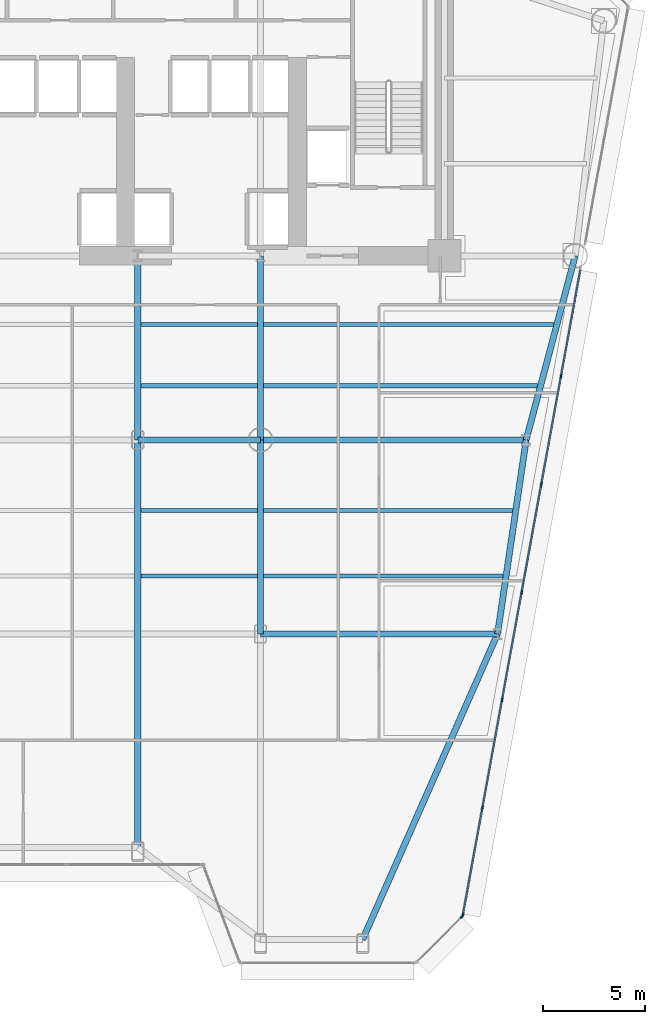
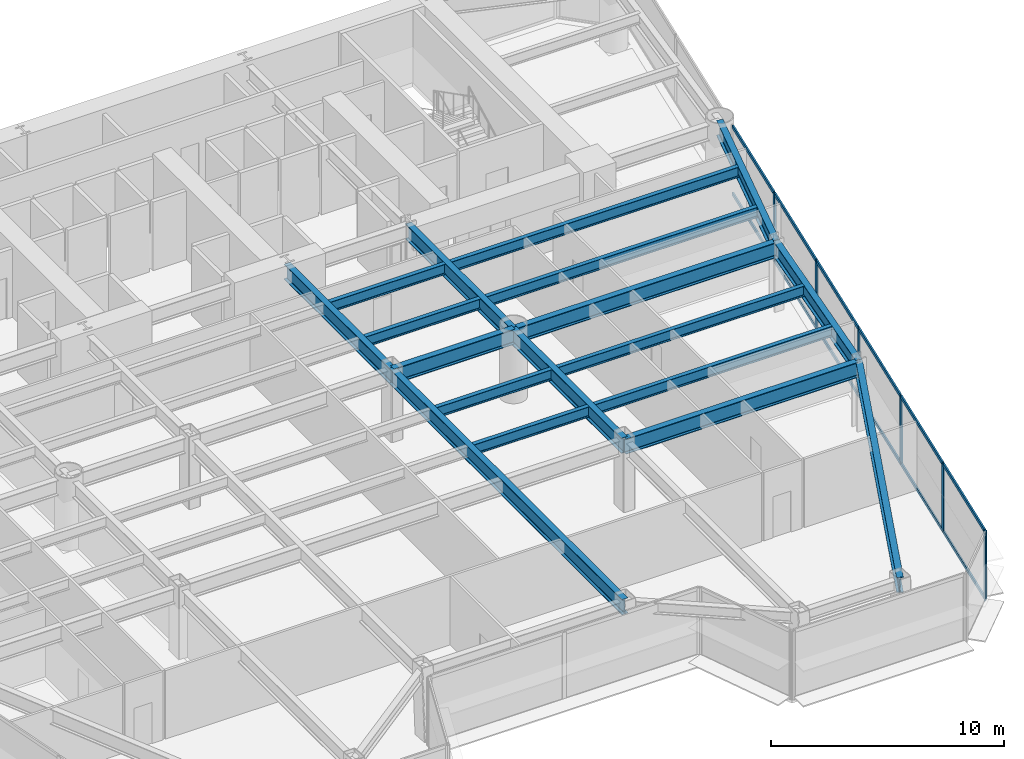
# One storey, part 4 of 14: 19 members, 18 beams, 2 elements without a shape of their own.
"""IFC4 building model written with IfcOpenShell, lengths in metres."""

from ifc_helpers import new_model, si_unit, direction, frame, origin, origin_2d, place, context, subcontext, project, spatial, rectangle, i_section, extrude, source, transform, mapped, material, layer, layer_set, material_profile, profile_set, type_object, element, aggregate, save


model = new_model("IFC4")

# Units and contexts
model_context = context("Model", 3, precision=1e-05, world=origin(), true_north=direction((0.0, 1.0)))
body_context = subcontext(model_context, "Body", "Model", "MODEL_VIEW")
ifc_project = project(units=[si_unit("LENGTHUNIT", "METRE"), si_unit("AREAUNIT", "SQUARE_METRE"), si_unit("VOLUMEUNIT", "CUBIC_METRE"), si_unit("PLANEANGLEUNIT", "RADIAN"), si_unit("MASSUNIT", "GRAM", prefix="KILO")], contexts=[model_context])

# Site, building, storey
site_placement = place(None, origin())
site = spatial("IfcSite", under=ifc_project, at=site_placement, CompositionType="ELEMENT")
building_placement = place(site_placement, origin())
building = spatial("IfcBuilding", under=site, at=building_placement, Name="Vaeldorn Concourse Tower", CompositionType="ELEMENT")
storey_placement = place(building_placement, frame((0.0, 0.0, 49.199951171875)))
storey = spatial("IfcBuildingStorey", under=building, at=storey_placement, Name="L12", CompositionType="ELEMENT", Elevation=49.199951171875)

# Beams
ifc_material_1 = material(Name="Steel S355", Category="steel")
ifc_material_profile_1 = material_profile(ifc_material_1, i_section(OverallWidth=0.300048828125, OverallDepth=0.800048828125, WebThickness=0.017578125, FlangeThickness=0.032958984375, FilletRadius=0.030029296875, at=origin_2d()), Name="HEB 800")
ifc_profile_set_1 = profile_set([ifc_material_profile_1], Name="Steel S355")
beam_type_1 = type_object("IfcBeamType", Name="BM-PG-HEB800", PredefinedType="BEAM", material=ifc_profile_set_1)
shared_shape_1 = source(origin(), body_context, "Body", "SweptSolid", [
    extrude(i_section(OverallWidth=0.300048828125, OverallDepth=0.800048828125, WebThickness=0.017578125, FlangeThickness=0.032958984375, FilletRadius=0.030029296875, at=origin_2d()), origin(), (0.0, 0.0, 1.0), 6.0),
])
beam_1_placement = place(storey_placement, frame((39.0, 27.5, 3.179931640625), z_axis=(1.0, 0.0, 0.0), x_axis=(0.0, 1.0, 0.0)))
element("IfcBeam", 1, at=beam_1_placement, inside=storey, type_object=beam_type_1, Name="Beam BM-L12-C-TW3-C-TW4", PredefinedType="BEAM", context=body_context, shape_type="MappedRepresentation", body=[
    mapped(shared_shape_1, transform((0.0, 0.0, 0.0), scale=1.0)),
])
shared_shape_2 = source(origin(), body_context, "Body", "SweptSolid", [
    extrude(i_section(OverallWidth=0.300048828125, OverallDepth=0.800048828125, WebThickness=0.017578125, FlangeThickness=0.032958984375, FilletRadius=0.030029296875, at=origin_2d()), origin(), (0.0, 0.0, 1.0), 9.0),
])
for number, where, z_axis, x_axis, name in (
    (2, (39.0, 27.5, 3.179931640625), (0.0, 1.0, 0.0), (-1.0, 0.0, 0.0), "Beam BM-L12-C-TW3-C-FC4"),
    (3, (45.0, 27.5, 3.179931640625), (0.0, 1.0, 0.0), (-1.0, 0.0, 0.0), "Beam BM-L12-C-TW4-C-FC5"),
):
    element("IfcBeam", number, at=place(storey_placement, frame(where, z_axis=z_axis, x_axis=x_axis)), inside=storey, type_object=beam_type_1, Name=name, PredefinedType="BEAM", context=body_context, shape_type="MappedRepresentation", body=[
        mapped(shared_shape_2, transform((0.0, 0.0, 0.0), scale=1.0)),
    ])
shared_shape_3 = source(origin(), body_context, "Body", "SweptSolid", [
    extrude(i_section(OverallWidth=0.300048828125, OverallDepth=0.800048828125, WebThickness=0.017578125, FlangeThickness=0.032958984375, FilletRadius=0.030029296875, at=origin_2d()), origin(), (0.0, 0.0, 1.0), 9.314453125),
])
beam_2_placement = place(storey_placement, frame((60.39990234375, 36.5, 3.179931640625), z_axis=(-0.257652862255, -0.966237549763, 0.0), x_axis=(0.966237549763, -0.257652862255, 0.0)))
element("IfcBeam", 4, at=beam_2_placement, inside=storey, type_object=beam_type_1, Name="Beam BM-L12-C-NE2-C-FLE1", PredefinedType="BEAM", context=body_context, shape_type="MappedRepresentation", body=[
    mapped(shared_shape_3, transform((0.0, 0.0, 0.0), scale=1.0)),
])
shared_shape_4 = source(origin(), body_context, "Body", "SweptSolid", [
    extrude(i_section(OverallWidth=0.300048828125, OverallDepth=0.800048828125, WebThickness=0.017578125, FlangeThickness=0.032958984375, FilletRadius=0.030029296875, at=origin_2d()), origin(), (0.0, 0.0, 1.0), 13.0),
])
beam_3_placement = place(storey_placement, frame((45.0, 27.5, 3.179931640625), z_axis=(1.0, 0.0, 0.0), x_axis=(0.0, 1.0, 0.0)))
element("IfcBeam", 5, at=beam_3_placement, inside=storey, type_object=beam_type_1, Name="Beam BM-L12-C-TW4-C-FLE1", PredefinedType="BEAM", context=body_context, shape_type="MappedRepresentation", body=[
    mapped(shared_shape_4, transform((0.0, 0.0, 0.0), scale=1.0)),
])
shared_shape_5 = source(origin(), body_context, "Body", "SweptSolid", [
    extrude(i_section(OverallWidth=0.300048828125, OverallDepth=0.800048828125, WebThickness=0.017578125, FlangeThickness=0.032958984375, FilletRadius=0.030029296875, at=origin_2d()), origin(), (0.0, 0.0, 1.0), 9.6025390625),
])
beam_4_placement = place(storey_placement, frame((58.0, 27.5, 3.179931640625), z_axis=(-0.145783835977, -0.989316467652, 0.0), x_axis=(0.989316467652, -0.145783835977, 0.0)))
element("IfcBeam", 6, at=beam_4_placement, inside=storey, type_object=beam_type_1, Name="Beam BM-L12-C-FLE1-C-FLE2", PredefinedType="BEAM", context=body_context, shape_type="MappedRepresentation", body=[
    mapped(shared_shape_5, transform((0.0, 0.0, 0.0), scale=1.0)),
])
shared_shape_6 = source(origin(), body_context, "Body", "SweptSolid", [
    extrude(i_section(OverallWidth=0.300048828125, OverallDepth=0.800048828125, WebThickness=0.017578125, FlangeThickness=0.032958984375, FilletRadius=0.030029296875, at=origin_2d()), origin(), (0.0, 0.0, 1.0), 11.60009765625),
])
beam_5_placement = place(storey_placement, frame((45.0, 18.0, 3.179931640625), z_axis=(1.0, 0.0, 0.0), x_axis=(0.0, 1.0, 0.0)))
element("IfcBeam", 7, at=beam_5_placement, inside=storey, type_object=beam_type_1, Name="Beam BM-L12-C-TW6-C-FLE2", PredefinedType="BEAM", context=body_context, shape_type="MappedRepresentation", body=[
    mapped(shared_shape_6, transform((0.0, 0.0, 0.0), scale=1.0)),
])
shared_shape_7 = source(origin(), body_context, "Body", "SweptSolid", [
    extrude(i_section(OverallWidth=0.300048828125, OverallDepth=0.800048828125, WebThickness=0.017578125, FlangeThickness=0.032958984375, FilletRadius=0.030029296875, at=origin_2d()), origin(), (0.0, 0.0, 1.0), 9.5),
])
beam_6_placement = place(storey_placement, frame((45.0, 18.0, 3.179931640625), z_axis=(0.0, 1.0, 0.0), x_axis=(-1.0, 0.0, 0.0)))
element("IfcBeam", 8, at=beam_6_placement, inside=storey, type_object=beam_type_1, Name="Beam BM-L12-C-TW6-C-TW4", PredefinedType="BEAM", context=body_context, shape_type="MappedRepresentation", body=[
    mapped(shared_shape_7, transform((0.0, 0.0, 0.0), scale=1.0)),
])
ifc_material_profile_2 = material_profile(ifc_material_1, i_section(OverallWidth=0.2099609375, OverallDepth=0.550048828125, WebThickness=0.010986328125, FlangeThickness=0.01708984375, FilletRadius=0.02392578125, at=origin_2d()), Name="IPE 550")
ifc_profile_set_2 = profile_set([ifc_material_profile_2], Name="Steel S355")
beam_type_2 = type_object("IfcBeamType", Name="BM-JS-IPE550", PredefinedType="JOIST", material=ifc_profile_set_2)
shared_shape_8 = source(origin(), body_context, "Body", "SweptSolid", [
    extrude(i_section(OverallWidth=0.2099609375, OverallDepth=0.550048828125, WebThickness=0.010986328125, FlangeThickness=0.01708984375, FilletRadius=0.02392578125, at=origin_2d()), origin(), (0.0, 0.0, 1.0), 5.7001953125),
])
for number, where, z_axis, x_axis, name in (
    (9, (39.14990234375, 20.840087890625, 3.304931640625), (1.0, 0.0, 0.0), (0.0, 1.0, 0.0), "Beam JS-L12-E2-208"),
    (10, (39.14990234375, 24.0400390625, 3.304931640625), (1.0, 0.0, 0.0), (0.0, 1.0, 0.0), "Beam JS-L12-E2-240"),
    (11, (39.14990234375, 30.139892578125, 3.304931640625), (1.0, 0.0, 0.0), (0.0, 1.0, 0.0), "Beam JS-L12-E2-301"),
    (12, (39.14990234375, 33.139892578125, 3.304931640625), (1.0, 0.0, 0.0), (0.0, 1.0, 0.0), "Beam JS-L12-E2-331"),
):
    element("IfcBeam", number, at=place(storey_placement, frame(where, z_axis=z_axis, x_axis=x_axis)), inside=storey, type_object=beam_type_2, Name=name, PredefinedType="JOIST", context=body_context, shape_type="MappedRepresentation", body=[
        mapped(shared_shape_8, transform((0.0, 0.0, 0.0), scale=1.0)),
    ])
shared_shape_9 = source(origin(), body_context, "Body", "SweptSolid", [
    extrude(i_section(OverallWidth=0.2099609375, OverallDepth=0.550048828125, WebThickness=0.010986328125, FlangeThickness=0.01708984375, FilletRadius=0.02392578125, at=origin_2d()), origin(), (0.0, 0.0, 1.0), 11.718505859375),
])
beam_7_placement = place(storey_placement, frame((45.14990234375, 20.840087890625, 3.304931640625), z_axis=(1.0, 0.0, 0.0), x_axis=(0.0, 1.0, 0.0)))
element("IfcBeam", 13, at=beam_7_placement, inside=storey, type_object=beam_type_2, Name="Beam JS-L12-E1-208", PredefinedType="JOIST", context=body_context, shape_type="MappedRepresentation", body=[
    mapped(shared_shape_9, transform((0.0, 0.0, 0.0), scale=1.0)),
])
shared_shape_10 = source(origin(), body_context, "Body", "SweptSolid", [
    extrude(i_section(OverallWidth=0.2099609375, OverallDepth=0.550048828125, WebThickness=0.010986328125, FlangeThickness=0.01708984375, FilletRadius=0.02392578125, at=origin_2d()), origin(), (0.0, 0.0, 1.0), 12.190185546875),
])
beam_8_placement = place(storey_placement, frame((45.14990234375, 24.0400390625, 3.304931640625), z_axis=(1.0, 0.0, 0.0), x_axis=(0.0, 1.0, 0.0)))
element("IfcBeam", 14, at=beam_8_placement, inside=storey, type_object=beam_type_2, Name="Beam JS-L12-E1-240", PredefinedType="JOIST", context=body_context, shape_type="MappedRepresentation", body=[
    mapped(shared_shape_10, transform((0.0, 0.0, 0.0), scale=1.0)),
])
shared_shape_11 = source(origin(), body_context, "Body", "SweptSolid", [
    extrude(i_section(OverallWidth=0.2099609375, OverallDepth=0.550048828125, WebThickness=0.010986328125, FlangeThickness=0.01708984375, FilletRadius=0.02392578125, at=origin_2d()), origin(), (0.0, 0.0, 1.0), 13.404052734375),
])
beam_9_placement = place(storey_placement, frame((45.14990234375, 30.139892578125, 3.304931640625), z_axis=(1.0, 0.0, 0.0), x_axis=(0.0, 1.0, 0.0)))
element("IfcBeam", 15, at=beam_9_placement, inside=storey, type_object=beam_type_2, Name="Beam JS-L12-E1-301", PredefinedType="JOIST", context=body_context, shape_type="MappedRepresentation", body=[
    mapped(shared_shape_11, transform((0.0, 0.0, 0.0), scale=1.0)),
])
shared_shape_12 = source(origin(), body_context, "Body", "SweptSolid", [
    extrude(i_section(OverallWidth=0.2099609375, OverallDepth=0.550048828125, WebThickness=0.010986328125, FlangeThickness=0.01708984375, FilletRadius=0.02392578125, at=origin_2d()), origin(), (0.0, 0.0, 1.0), 14.2041015625),
])
beam_10_placement = place(storey_placement, frame((45.14990234375, 33.139892578125, 3.304931640625), z_axis=(1.0, 0.0, 0.0), x_axis=(0.0, 1.0, 0.0)))
element("IfcBeam", 16, at=beam_10_placement, inside=storey, type_object=beam_type_2, Name="Beam JS-L12-E1-331", PredefinedType="JOIST", context=body_context, shape_type="MappedRepresentation", body=[
    mapped(shared_shape_12, transform((0.0, 0.0, 0.0), scale=1.0)),
])
shared_shape_13 = source(origin(), body_context, "Body", "SweptSolid", [
    extrude(i_section(OverallWidth=0.300048828125, OverallDepth=0.800048828125, WebThickness=0.017578125, FlangeThickness=0.032958984375, FilletRadius=0.030029296875, at=origin_2d()), origin(), (0.0, 0.0, 1.0), 16.340576171875),
])
beam_11_placement = place(storey_placement, frame((50.0, 3.0517578125, 3.179931640625), z_axis=(0.403910920123, 0.914798321274, 0.0), x_axis=(-0.914798321274, 0.403910920123, 0.0)))
element("IfcBeam", 17, at=beam_11_placement, inside=storey, type_object=beam_type_1, Name="Beam BM-L12-C-SF6-C-FLE2", PredefinedType="BEAM", context=body_context, shape_type="MappedRepresentation", body=[
    mapped(shared_shape_13, transform((0.0, 0.0, 0.0), scale=1.0)),
])
shared_shape_14 = source(origin(), body_context, "Body", "SweptSolid", [
    extrude(i_section(OverallWidth=0.300048828125, OverallDepth=0.800048828125, WebThickness=0.017578125, FlangeThickness=0.032958984375, FilletRadius=0.030029296875, at=origin_2d()), origin(), (0.0, 0.0, 1.0), 19.9482421875),
])
beam_12_placement = place(storey_placement, frame((39.0, 7.5517578125, 3.179931640625), z_axis=(0.0, 1.0, 0.0), x_axis=(-1.0, 0.0, 0.0)))
element("IfcBeam", 18, at=beam_12_placement, inside=storey, type_object=beam_type_1, Name="Beam BM-L12-C-SF4-C-TW3", PredefinedType="BEAM", context=body_context, shape_type="MappedRepresentation", body=[
    mapped(shared_shape_14, transform((0.0, 0.0, 0.0), scale=1.0)),
])

# Curtain wall, member
ifc_material_2 = material(Name="Anodised Bronze Aluminium", Category="aluminium")
ifc_layer = layer(ifc_material_2, 0.219970703125)
ifc_layer_set = layer_set([ifc_layer], Name="Anodised Bronze Aluminium")
curtain_wall_type = type_object("IfcCurtainWallType", Name="CW-SYS-01", PredefinedType="NOTDEFINED", material=ifc_layer_set)
curtain_wall_1_placement = place(storey_placement, origin())
curtain_wall_1 = element("IfcCurtainWall", 19, at=curtain_wall_1_placement, inside=storey, type_object=curtain_wall_type, Name="Unitised Curtain Wall CW-L12-E06-1", PredefinedType="NOTDEFINED")
ifc_material_profile_3 = material_profile(ifc_material_2, rectangle(XDim=0.074951171875, YDim=0.219970703125, at=origin_2d()), Name="CWM 75x220")
ifc_profile_set_3 = profile_set([ifc_material_profile_3], Name="Anodised Bronze Aluminium")
member_type_1 = type_object("IfcMemberType", Name="CWM-BRONZE-220", PredefinedType="MULLION", material=ifc_profile_set_3)
shared_shape_15 = source(origin(), body_context, "Body", "SweptSolid", [
    extrude(rectangle(XDim=0.074951171875, YDim=0.219970703125, at=origin_2d()), origin(), (0.0, 0.0, 1.0), 3.580078125),
])
member_1_placement = place(storey_placement, frame((54.8740234375, 4.18603515625, 0.0), z_axis=(0.0, 0.0, 1.0), x_axis=(-0.707106781187, 0.707106781187, 0.0)))
member_1 = element("IfcMember", 20, at=member_1_placement, type_object=member_type_1, Name="CW-01 mullion 2", PredefinedType="MULLION", context=body_context, shape_type="MappedRepresentation", body=[
    mapped(shared_shape_15, transform((0.0, 0.0, 0.0), scale=1.0)),
])
aggregate(curtain_wall_1, [member_1])

# Curtain wall, members
curtain_wall_2_placement = place(storey_placement, origin())
curtain_wall_2 = element("IfcCurtainWall", 21, at=curtain_wall_2_placement, inside=storey, type_object=curtain_wall_type, Name="Unitised Curtain Wall CW-L12-E07-1", PredefinedType="NOTDEFINED")
member_2_placement = place(storey_placement, frame((54.9072265625, 4.24951171875, 0.0), z_axis=(0.0, 0.0, 1.0), x_axis=(-0.983827780803, 0.179116994505, 0.0)))
member_2 = element("IfcMember", 22, at=member_2_placement, type_object=member_type_1, Name="CW-01 mullion 1", PredefinedType="MULLION", context=body_context, shape_type="MappedRepresentation", body=[
    mapped(shared_shape_15, transform((0.0, 0.0, 0.0), scale=1.0)),
])
member_3_placement = place(storey_placement, frame((55.861572265625, 9.490478515625, 0.0), z_axis=(0.0, 0.0, 1.0), x_axis=(-0.983827780803, 0.179116994505, 0.0)))
member_3 = element("IfcMember", 23, at=member_3_placement, type_object=member_type_1, Name="CW-01 mullion 2", PredefinedType="MULLION", context=body_context, shape_type="MappedRepresentation", body=[
    mapped(shared_shape_15, transform((0.0, 0.0, 0.0), scale=1.0)),
])
member_4_placement = place(storey_placement, frame((56.822509765625, 14.7685546875, 0.0), z_axis=(0.0, 0.0, 1.0), x_axis=(-0.983827780803, 0.179116994505, 0.0)))
member_4 = element("IfcMember", 24, at=member_4_placement, type_object=member_type_1, Name="CW-01 mullion 3", PredefinedType="MULLION", context=body_context, shape_type="MappedRepresentation", body=[
    mapped(shared_shape_15, transform((0.0, 0.0, 0.0), scale=1.0)),
])
member_5_placement = place(storey_placement, frame((57.783447265625, 20.046630859375, 0.0), z_axis=(0.0, 0.0, 1.0), x_axis=(-0.983827780803, 0.179116994505, 0.0)))
member_5 = element("IfcMember", 25, at=member_5_placement, type_object=member_type_1, Name="CW-01 mullion 4", PredefinedType="MULLION", context=body_context, shape_type="MappedRepresentation", body=[
    mapped(shared_shape_15, transform((0.0, 0.0, 0.0), scale=1.0)),
])
member_6_placement = place(storey_placement, frame((58.744384765625, 25.324462890625, 0.0), z_axis=(0.0, 0.0, 1.0), x_axis=(-0.983827780803, 0.179116994505, 0.0)))
member_6 = element("IfcMember", 26, at=member_6_placement, type_object=member_type_1, Name="CW-01 mullion 5", PredefinedType="MULLION", context=body_context, shape_type="MappedRepresentation", body=[
    mapped(shared_shape_15, transform((0.0, 0.0, 0.0), scale=1.0)),
])
member_7_placement = place(storey_placement, frame((59.705078125, 30.6025390625, 0.0), z_axis=(0.0, 0.0, 1.0), x_axis=(-0.983827780803, 0.179116994505, 0.0)))
member_7 = element("IfcMember", 27, at=member_7_placement, type_object=member_type_1, Name="CW-01 mullion 6", PredefinedType="MULLION", context=body_context, shape_type="MappedRepresentation", body=[
    mapped(shared_shape_15, transform((0.0, 0.0, 0.0), scale=1.0)),
])
ifc_material_profile_4 = material_profile(ifc_material_2, rectangle(XDim=0.074951171875, YDim=0.179931640625, at=origin_2d()), Name="CWT 75x180")
ifc_profile_set_4 = profile_set([ifc_material_profile_4], Name="Anodised Bronze Aluminium")
member_type_2 = type_object("IfcMemberType", Name="CWT-BRONZE-180", PredefinedType="USERDEFINED", material=ifc_profile_set_4)
shared_shape_16 = source(origin(), body_context, "Body", "SweptSolid", [
    extrude(rectangle(XDim=0.074951171875, YDim=0.179931640625, at=origin_2d()), origin(), (0.0, 0.0, 1.0), 5.252197265625),
])
member_8_placement = place(storey_placement, frame((54.9140625, 4.286376953125, 0.03759765625), z_axis=(0.179102234485, 0.983830467917, 0.0), x_axis=(-0.983830467917, 0.179102234485, 0.0)))
member_8 = element("IfcMember", 28, at=member_8_placement, type_object=member_type_2, Name="CW-01 transom 1.1", ObjectType="TRANSOM", PredefinedType="USERDEFINED", context=body_context, shape_type="MappedRepresentation", body=[
    mapped(shared_shape_16, transform((0.0, 0.0, 0.0), scale=1.0)),
])
member_9_placement = place(storey_placement, frame((54.9140625, 4.286376953125, 3.54248046875), z_axis=(0.179102234485, 0.983830467917, 0.0), x_axis=(-0.983830467917, 0.179102234485, 0.0)))
member_9 = element("IfcMember", 29, at=member_9_placement, type_object=member_type_2, Name="CW-01 transom 1.2", ObjectType="TRANSOM", PredefinedType="USERDEFINED", context=body_context, shape_type="MappedRepresentation", body=[
    mapped(shared_shape_16, transform((0.0, 0.0, 0.0), scale=1.0)),
])
member_10_placement = place(storey_placement, frame((59.7119140625, 30.639404296875, 0.03759765625), z_axis=(0.179102234485, 0.983830467917, 0.0), x_axis=(-0.983830467917, 0.179102234485, 0.0)))
member_10 = element("IfcMember", 30, at=member_10_placement, type_object=member_type_2, Name="CW-01 transom 6.1", ObjectType="TRANSOM", PredefinedType="USERDEFINED", context=body_context, shape_type="MappedRepresentation", body=[
    mapped(shared_shape_16, transform((0.0, 0.0, 0.0), scale=1.0)),
])
member_11_placement = place(storey_placement, frame((59.7119140625, 30.639404296875, 3.54248046875), z_axis=(0.179102234485, 0.983830467917, 0.0), x_axis=(-0.983830467917, 0.179102234485, 0.0)))
member_11 = element("IfcMember", 31, at=member_11_placement, type_object=member_type_2, Name="CW-01 transom 6.2", ObjectType="TRANSOM", PredefinedType="USERDEFINED", context=body_context, shape_type="MappedRepresentation", body=[
    mapped(shared_shape_16, transform((0.0, 0.0, 0.0), scale=1.0)),
])
shared_shape_17 = source(origin(), body_context, "Body", "SweptSolid", [
    extrude(rectangle(XDim=0.074951171875, YDim=0.179931640625, at=origin_2d()), origin(), (0.0, 0.0, 1.0), 5.28955078125),
])
member_12_placement = place(storey_placement, frame((55.8681640625, 9.527587890625, 0.03759765625), z_axis=(0.179125066325, 0.983826311202, 0.0), x_axis=(-0.983826311202, 0.179125066325, 0.0)))
member_12 = element("IfcMember", 32, at=member_12_placement, type_object=member_type_2, Name="CW-01 transom 2.1", ObjectType="TRANSOM", PredefinedType="USERDEFINED", context=body_context, shape_type="MappedRepresentation", body=[
    mapped(shared_shape_17, transform((0.0, 0.0, 0.0), scale=1.0)),
])
member_13_placement = place(storey_placement, frame((55.8681640625, 9.527587890625, 3.54248046875), z_axis=(0.179125066325, 0.983826311202, 0.0), x_axis=(-0.983826311202, 0.179125066325, 0.0)))
member_13 = element("IfcMember", 33, at=member_13_placement, type_object=member_type_2, Name="CW-01 transom 2.2", ObjectType="TRANSOM", PredefinedType="USERDEFINED", context=body_context, shape_type="MappedRepresentation", body=[
    mapped(shared_shape_17, transform((0.0, 0.0, 0.0), scale=1.0)),
])
member_14_placement = place(storey_placement, frame((57.7900390625, 20.08349609375, 0.03759765625), z_axis=(0.179125066325, 0.983826311202, 0.0), x_axis=(-0.983826311202, 0.179125066325, 0.0)))
member_14 = element("IfcMember", 34, at=member_14_placement, type_object=member_type_2, Name="CW-01 transom 4.1", ObjectType="TRANSOM", PredefinedType="USERDEFINED", context=body_context, shape_type="MappedRepresentation", body=[
    mapped(shared_shape_17, transform((0.0, 0.0, 0.0), scale=1.0)),
])
member_15_placement = place(storey_placement, frame((57.7900390625, 20.08349609375, 3.54248046875), z_axis=(0.179125066325, 0.983826311202, 0.0), x_axis=(-0.983826311202, 0.179125066325, 0.0)))
member_15 = element("IfcMember", 35, at=member_15_placement, type_object=member_type_2, Name="CW-01 transom 4.2", ObjectType="TRANSOM", PredefinedType="USERDEFINED", context=body_context, shape_type="MappedRepresentation", body=[
    mapped(shared_shape_17, transform((0.0, 0.0, 0.0), scale=1.0)),
])
shared_shape_18 = source(origin(), body_context, "Body", "SweptSolid", [
    extrude(rectangle(XDim=0.074951171875, YDim=0.179931640625, at=origin_2d()), origin(), (0.0, 0.0, 1.0), 5.289794921875),
])
member_16_placement = place(storey_placement, frame((56.8291015625, 14.805419921875, 0.03759765625), z_axis=(0.179116933, 0.983827792001, 0.0), x_axis=(-0.983827792001, 0.179116933, 0.0)))
member_16 = element("IfcMember", 36, at=member_16_placement, type_object=member_type_2, Name="CW-01 transom 3.1", ObjectType="TRANSOM", PredefinedType="USERDEFINED", context=body_context, shape_type="MappedRepresentation", body=[
    mapped(shared_shape_18, transform((0.0, 0.0, 0.0), scale=1.0)),
])
member_17_placement = place(storey_placement, frame((56.8291015625, 14.805419921875, 3.54248046875), z_axis=(0.179116933, 0.983827792001, 0.0), x_axis=(-0.983827792001, 0.179116933, 0.0)))
member_17 = element("IfcMember", 37, at=member_17_placement, type_object=member_type_2, Name="CW-01 transom 3.2", ObjectType="TRANSOM", PredefinedType="USERDEFINED", context=body_context, shape_type="MappedRepresentation", body=[
    mapped(shared_shape_18, transform((0.0, 0.0, 0.0), scale=1.0)),
])
member_18_placement = place(storey_placement, frame((58.7509765625, 25.361328125, 0.03759765625), z_axis=(0.179116933, 0.983827792001, 0.0), x_axis=(-0.983827792001, 0.179116933, 0.0)))
member_18 = element("IfcMember", 38, at=member_18_placement, type_object=member_type_2, Name="CW-01 transom 5.1", ObjectType="TRANSOM", PredefinedType="USERDEFINED", context=body_context, shape_type="MappedRepresentation", body=[
    mapped(shared_shape_18, transform((0.0, 0.0, 0.0), scale=1.0)),
])
member_19_placement = place(storey_placement, frame((58.7509765625, 25.361328125, 3.54248046875), z_axis=(0.179116933, 0.983827792001, 0.0), x_axis=(-0.983827792001, 0.179116933, 0.0)))
member_19 = element("IfcMember", 39, at=member_19_placement, type_object=member_type_2, Name="CW-01 transom 5.2", ObjectType="TRANSOM", PredefinedType="USERDEFINED", context=body_context, shape_type="MappedRepresentation", body=[
    mapped(shared_shape_18, transform((0.0, 0.0, 0.0), scale=1.0)),
])
aggregate(curtain_wall_2, [member_2, member_3, member_4, member_5, member_6, member_7, member_8, member_9, member_12, member_13, member_16, member_17, member_14, member_15, member_18, member_19, member_10, member_11])

save(model, "model.ifc")
